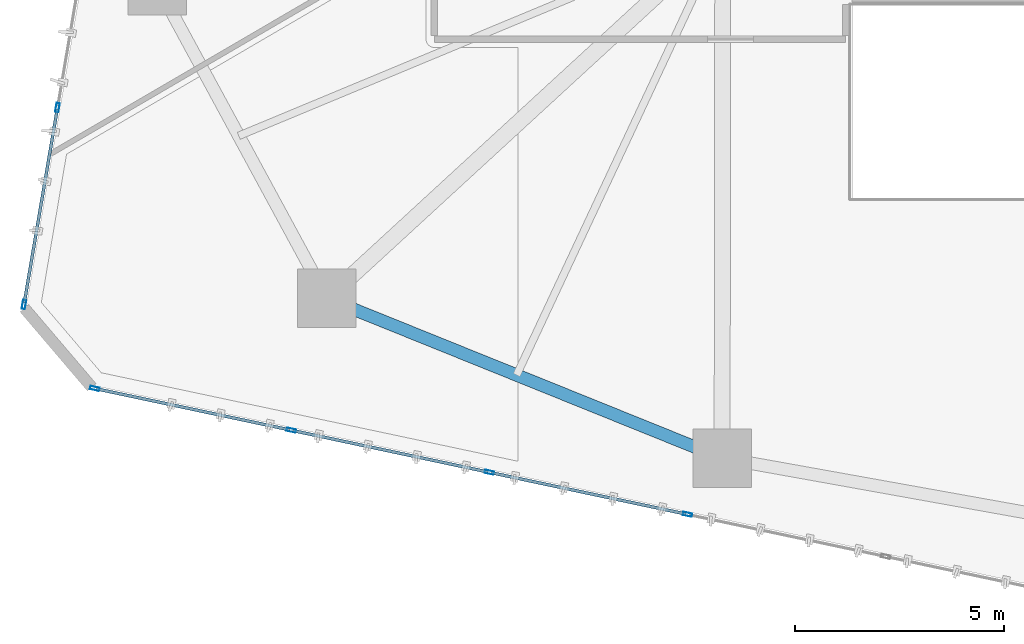
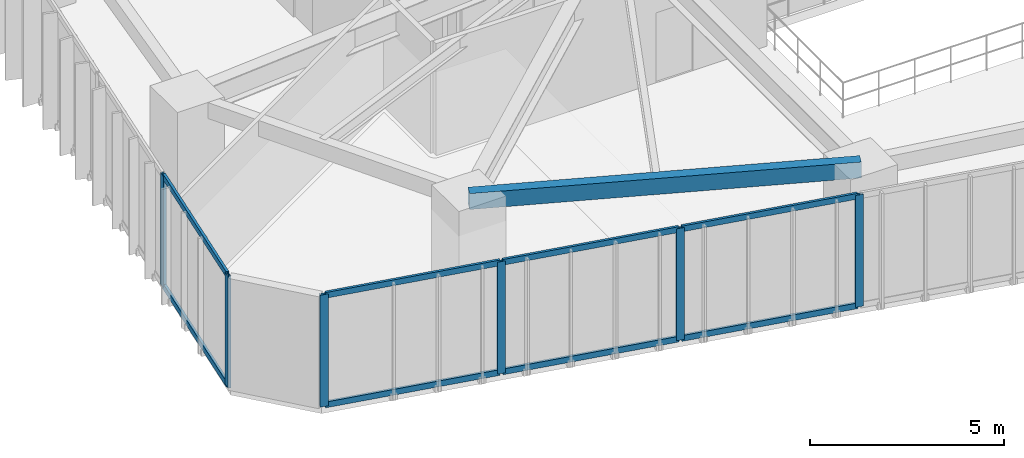
# One storey, part 2 of 22: 14 members, 1 beam, 2 elements without a shape of their own.
"""IFC4 building model written with IfcOpenShell, lengths in metres."""

from ifc_helpers import new_model, si_unit, direction, frame, origin, origin_2d, place, context, subcontext, project, spatial, hollow_rectangle, extrude, source, transform, mapped, material, layer, layer_set, material_profile, profile_set, type_object, type_shapes, element, aggregate, save


model = new_model("IFC4")

# Units and contexts
model_context = context("Model", 3, precision=1e-05, world=origin(), true_north=direction((0.0, 1.0)))
body_context = subcontext(model_context, "Body", "Model", "MODEL_VIEW")
ifc_project = project(units=[si_unit("LENGTHUNIT", "METRE"), si_unit("AREAUNIT", "SQUARE_METRE"), si_unit("VOLUMEUNIT", "CUBIC_METRE"), si_unit("PLANEANGLEUNIT", "RADIAN"), si_unit("MASSUNIT", "GRAM", prefix="KILO")], contexts=[model_context])

# Site, building, storey
site_placement = place(None, origin())
site = spatial("IfcSite", under=ifc_project, at=site_placement, CompositionType="ELEMENT")
building_placement = place(site_placement, origin())
building = spatial("IfcBuilding", under=site, at=building_placement, Name="Talar Marvaseh", CompositionType="ELEMENT")
storey_placement = place(building_placement, frame((0.0, 0.0, 54.39990234375)))
storey = spatial("IfcBuildingStorey", under=building, at=storey_placement, Name="L13", CompositionType="ELEMENT", Elevation=54.39990234375)

# Beam
ifc_material_1 = material(Name="Steel S355", Category="steel")
ifc_material_profile_1 = material_profile(ifc_material_1, hollow_rectangle(XDim=0.300048828125, YDim=0.5, WallThickness=0.02001953125, at=origin_2d()), Name="RHS500x300x20")
ifc_profile_set_1 = profile_set([ifc_material_profile_1], Name="Steel S355")
beam_type = type_object("IfcBeamType", Name="Zone 1 Perimeter Spandrel Beam RHS500x300x20", PredefinedType="SPANDREL", material=ifc_profile_set_1)
beam_placement = place(storey_placement, frame((18.68310546875, 12.97900390625, 3.27001953125), z_axis=(-0.927239278118, 0.374469386084, 0.0), x_axis=(-0.374469386084, -0.927239278118, 0.0)))
element("IfcBeam", 1, at=beam_placement, inside=storey, type_object=beam_type, Name="L13 Zone 1 Perimeter Spandrel Beam RHS500x300x20", PredefinedType="SPANDREL", context=body_context, shape_type="SweptSolid", body=[
    extrude(hollow_rectangle(XDim=0.300048828125, YDim=0.5, WallThickness=0.02001953125, at=origin_2d()), origin(), (0.0, 0.0, 1.0), 10.19287109375),
])

# Curtain wall, members
ifc_material_2 = material(Name="Architectural Aluminium", Category="aluminium")
ifc_layer = layer(ifc_material_2, 0.219970703125)
ifc_layer_set = layer_set([ifc_layer], Name="Architectural Aluminium")
curtain_wall_type = type_object("IfcCurtainWallType", Name="Unitised Low-E Museum Curtain Wall Z1", PredefinedType="NOTDEFINED", material=ifc_layer_set)
curtain_wall_1_placement = place(storey_placement, origin())
curtain_wall_1 = element("IfcCurtainWall", 2, at=curtain_wall_1_placement, inside=storey, type_object=curtain_wall_type, Name="L13 Unitised Low-E Museum Curtain Wall Z1", PredefinedType="NOTDEFINED")
ifc_material_profile_2 = material_profile(ifc_material_2, hollow_rectangle(XDim=0.080078125, YDim=0.219970703125, WallThickness=0.0048828125, at=origin_2d()), Name="RHS220x80x5")
ifc_profile_set_2 = profile_set([ifc_material_profile_2], Name="Architectural Aluminium")
member_type_1 = type_object("IfcMemberType", Name="Unitised Curtain Wall Heavy Mullion RHS220x80x5", PredefinedType="MULLION", material=ifc_profile_set_2)
shared_shape_1 = source(origin(), body_context, "Body", "SweptSolid", [
    extrude(hollow_rectangle(XDim=0.080078125, YDim=0.219970703125, WallThickness=0.0048828125, at=origin_2d()), origin(), (0.0, 0.0, 1.0), 3.52001953125),
])
type_shapes(member_type_1, [shared_shape_1])
member_1_placement = place(storey_placement, frame((1.986083984375, 16.651123046875, 0.0), z_axis=(0.0, 0.0, 1.0), x_axis=(-0.985839504999, 0.167691593063, 0.0)))
member_1 = element("IfcMember", 3, at=member_1_placement, type_object=member_type_1, Name="CW-Z1 mullion 1", PredefinedType="MULLION", context=body_context, shape_type="MappedRepresentation", body=[
    mapped(shared_shape_1, transform((0.0, 0.0, 0.0), x_axis=(1.0, 0.0, 0.0), y_axis=(0.0, 1.0, 0.0), z_axis=(0.0, 0.0, 1.0), scale=1.0)),
])
member_2_placement = place(storey_placement, frame((2.787109375, 21.360107421875, 0.0), z_axis=(0.0, 0.0, 1.0), x_axis=(-0.985839504999, 0.167691593063, 0.0)))
member_2 = element("IfcMember", 4, at=member_2_placement, type_object=member_type_1, Name="CW-Z1 mullion 2", PredefinedType="MULLION", context=body_context, shape_type="MappedRepresentation", body=[
    mapped(shared_shape_1, transform((0.0, 0.0, 0.0), x_axis=(1.0, 0.0, 0.0), y_axis=(0.0, 1.0, 0.0), z_axis=(0.0, 0.0, 1.0), scale=1.0)),
])

curtain_wall_2_placement = place(storey_placement, origin())
curtain_wall_2 = element("IfcCurtainWall", 5, at=curtain_wall_2_placement, inside=storey, type_object=curtain_wall_type, Name="L13 Unitised Low-E Museum Curtain Wall Z1", PredefinedType="NOTDEFINED")
member_3_placement = place(storey_placement, frame((17.855712890625, 11.6318359375, 0.0), z_axis=(0.0, 0.0, 1.0), x_axis=(-0.207758194737, -0.978180214745, 0.0)))
member_3 = element("IfcMember", 6, at=member_3_placement, type_object=member_type_1, Name="CW-Z1 mullion 3", PredefinedType="MULLION", context=body_context, shape_type="MappedRepresentation", body=[
    mapped(shared_shape_1, transform((0.0, 0.0, 0.0), x_axis=(1.0, 0.0, 0.0), y_axis=(0.0, 1.0, 0.0), z_axis=(0.0, 0.0, 1.0), scale=1.0)),
])
member_4_placement = place(storey_placement, frame((13.115966796875, 12.638427734375, 0.0), z_axis=(0.0, 0.0, 1.0), x_axis=(-0.207758194737, -0.978180214745, 0.0)))
member_4 = element("IfcMember", 7, at=member_4_placement, type_object=member_type_1, Name="CW-Z1 mullion 4", PredefinedType="MULLION", context=body_context, shape_type="MappedRepresentation", body=[
    mapped(shared_shape_1, transform((0.0, 0.0, 0.0), x_axis=(1.0, 0.0, 0.0), y_axis=(0.0, 1.0, 0.0), z_axis=(0.0, 0.0, 1.0), scale=1.0)),
])
member_5_placement = place(storey_placement, frame((8.37646484375, 13.64501953125, 0.0), z_axis=(0.0, 0.0, 1.0), x_axis=(-0.207758194737, -0.978180214745, 0.0)))
member_5 = element("IfcMember", 8, at=member_5_placement, type_object=member_type_1, Name="CW-Z1 mullion 5", PredefinedType="MULLION", context=body_context, shape_type="MappedRepresentation", body=[
    mapped(shared_shape_1, transform((0.0, 0.0, 0.0), x_axis=(1.0, 0.0, 0.0), y_axis=(0.0, 1.0, 0.0), z_axis=(0.0, 0.0, 1.0), scale=1.0)),
])
member_6_placement = place(storey_placement, frame((3.676025390625, 14.6435546875, 0.0), z_axis=(0.0, 0.0, 1.0), x_axis=(-0.207758194737, -0.978180214745, 0.0)))
member_6 = element("IfcMember", 9, at=member_6_placement, type_object=member_type_1, Name="CW-Z1 mullion 6", PredefinedType="MULLION", context=body_context, shape_type="MappedRepresentation", body=[
    mapped(shared_shape_1, transform((0.0, 0.0, 0.0), x_axis=(1.0, 0.0, 0.0), y_axis=(0.0, 1.0, 0.0), z_axis=(0.0, 0.0, 1.0), scale=1.0)),
])
ifc_material_profile_3 = material_profile(ifc_material_2, hollow_rectangle(XDim=0.074951171875, YDim=0.179931640625, WallThickness=0.0048828125, at=origin_2d()), Name="RHS180x75x5")
ifc_profile_set_3 = profile_set([ifc_material_profile_3], Name="Architectural Aluminium")
member_type_2 = type_object("IfcMemberType", Name="Unitised Curtain Wall Transom RHS180x75x5", PredefinedType="USERDEFINED", material=ifc_profile_set_3)
shared_shape_2 = source(origin(), body_context, "Body", "SweptSolid", [
    extrude(hollow_rectangle(XDim=0.074951171875, YDim=0.179931640625, WallThickness=0.0048828125, at=origin_2d()), origin(), (0.0, 0.0, 1.0), 4.725341796875),
])
member_7_placement = place(storey_placement, frame((8.33740234375, 13.653564453125, 0.03759765625), z_axis=(-0.97818261111, 0.207746911703, 0.0), x_axis=(-0.207746911703, -0.97818261111, 0.0)))
member_7 = element("IfcMember", 10, at=member_7_placement, type_object=member_type_2, Name="CW-Z1 transom 5.1", ObjectType="TRANSOM", PredefinedType="USERDEFINED", context=body_context, shape_type="MappedRepresentation", body=[
    mapped(shared_shape_2, transform((0.0, 0.0, 0.0), x_axis=(1.0, 0.0, 0.0), y_axis=(0.0, 1.0, 0.0), z_axis=(0.0, 0.0, 1.0), scale=1.0)),
])
member_8_placement = place(storey_placement, frame((8.33740234375, 13.653564453125, 3.482666015625), z_axis=(-0.97818261111, 0.207746911703, 0.0), x_axis=(-0.207746911703, -0.97818261111, 0.0)))
member_8 = element("IfcMember", 11, at=member_8_placement, type_object=member_type_2, Name="CW-Z1 transom 5.2", ObjectType="TRANSOM", PredefinedType="USERDEFINED", context=body_context, shape_type="MappedRepresentation", body=[
    mapped(shared_shape_2, transform((0.0, 0.0, 0.0), x_axis=(1.0, 0.0, 0.0), y_axis=(0.0, 1.0, 0.0), z_axis=(0.0, 0.0, 1.0), scale=1.0)),
])
shared_shape_3 = source(origin(), body_context, "Body", "SweptSolid", [
    extrude(hollow_rectangle(XDim=0.074951171875, YDim=0.179931640625, WallThickness=0.0048828125, at=origin_2d()), origin(), (0.0, 0.0, 1.0), 4.765380859375),
])
member_9_placement = place(storey_placement, frame((17.816650390625, 11.64013671875, 0.03759765625), z_axis=(-0.978182412047, 0.207747848994, 0.0), x_axis=(-0.207747848994, -0.978182412047, 0.0)))
member_9 = element("IfcMember", 12, at=member_9_placement, type_object=member_type_2, Name="CW-Z1 transom 3.1", ObjectType="TRANSOM", PredefinedType="USERDEFINED", context=body_context, shape_type="MappedRepresentation", body=[
    mapped(shared_shape_3, transform((0.0, 0.0, 0.0), x_axis=(1.0, 0.0, 0.0), y_axis=(0.0, 1.0, 0.0), z_axis=(0.0, 0.0, 1.0), scale=1.0)),
])
member_10_placement = place(storey_placement, frame((17.816650390625, 11.64013671875, 3.482666015625), z_axis=(-0.978182412047, 0.207747848994, 0.0), x_axis=(-0.207747848994, -0.978182412047, 0.0)))
member_10 = element("IfcMember", 13, at=member_10_placement, type_object=member_type_2, Name="CW-Z1 transom 3.2", ObjectType="TRANSOM", PredefinedType="USERDEFINED", context=body_context, shape_type="MappedRepresentation", body=[
    mapped(shared_shape_3, transform((0.0, 0.0, 0.0), x_axis=(1.0, 0.0, 0.0), y_axis=(0.0, 1.0, 0.0), z_axis=(0.0, 0.0, 1.0), scale=1.0)),
])
member_11_placement = place(storey_placement, frame((13.076904296875, 12.646728515625, 0.03759765625), z_axis=(-0.978182412047, 0.207747848994, 0.0), x_axis=(-0.207747848994, -0.978182412047, 0.0)))
member_11 = element("IfcMember", 14, at=member_11_placement, type_object=member_type_2, Name="CW-Z1 transom 4.1", ObjectType="TRANSOM", PredefinedType="USERDEFINED", context=body_context, shape_type="MappedRepresentation", body=[
    mapped(shared_shape_3, transform((0.0, 0.0, 0.0), x_axis=(1.0, 0.0, 0.0), y_axis=(0.0, 1.0, 0.0), z_axis=(0.0, 0.0, 1.0), scale=1.0)),
])
member_12_placement = place(storey_placement, frame((13.076904296875, 12.646728515625, 3.482666015625), z_axis=(-0.978182412047, 0.207747848994, 0.0), x_axis=(-0.207747848994, -0.978182412047, 0.0)))
member_12 = element("IfcMember", 15, at=member_12_placement, type_object=member_type_2, Name="CW-Z1 transom 4.2", ObjectType="TRANSOM", PredefinedType="USERDEFINED", context=body_context, shape_type="MappedRepresentation", body=[
    mapped(shared_shape_3, transform((0.0, 0.0, 0.0), x_axis=(1.0, 0.0, 0.0), y_axis=(0.0, 1.0, 0.0), z_axis=(0.0, 0.0, 1.0), scale=1.0)),
])
aggregate(curtain_wall_2, [member_3, member_4, member_5, member_6, member_9, member_10, member_11, member_12, member_7, member_8])

# Member
shared_shape_4 = source(origin(), body_context, "Body", "SweptSolid", [
    extrude(hollow_rectangle(XDim=0.074951171875, YDim=0.179931640625, WallThickness=0.0048828125, at=origin_2d()), origin(), (0.0, 0.0, 1.0), 4.6962890625),
])
type_shapes(member_type_2, [shared_shape_2, shared_shape_3, shared_shape_4])
member_13_placement = place(storey_placement, frame((1.99267578125, 16.690673828125, 0.03759765625), z_axis=(0.167702604947, 0.985837631811, 0.0), x_axis=(-0.985837631811, 0.167702604947, 0.0)))
member_13 = element("IfcMember", 16, at=member_13_placement, type_object=member_type_2, Name="CW-Z1 transom 1.1", ObjectType="TRANSOM", PredefinedType="USERDEFINED", context=body_context, shape_type="MappedRepresentation", body=[
    mapped(shared_shape_4, transform((0.0, 0.0, 0.0), x_axis=(1.0, 0.0, 0.0), y_axis=(0.0, 1.0, 0.0), z_axis=(0.0, 0.0, 1.0), scale=1.0)),
])

member_14_placement = place(storey_placement, frame((1.99267578125, 16.690673828125, 3.482666015625), z_axis=(0.167702604947, 0.985837631811, 0.0), x_axis=(-0.985837631811, 0.167702604947, 0.0)))
member_14 = element("IfcMember", 17, at=member_14_placement, type_object=member_type_2, Name="CW-Z1 transom 1.2", ObjectType="TRANSOM", PredefinedType="USERDEFINED", context=body_context, shape_type="MappedRepresentation", body=[
    mapped(shared_shape_4, transform((0.0, 0.0, 0.0), x_axis=(1.0, 0.0, 0.0), y_axis=(0.0, 1.0, 0.0), z_axis=(0.0, 0.0, 1.0), scale=1.0)),
])

aggregate(curtain_wall_1, [member_1, member_2, member_13, member_14])

save(model, "model.ifc")
